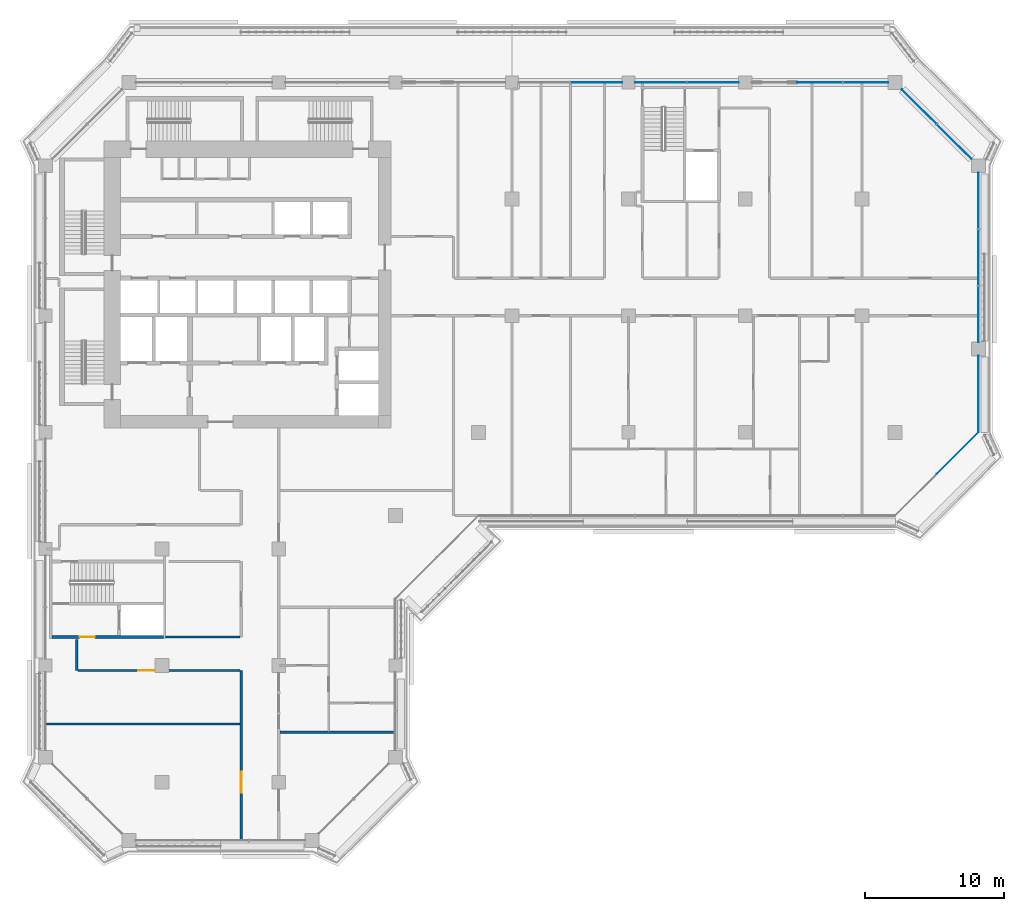
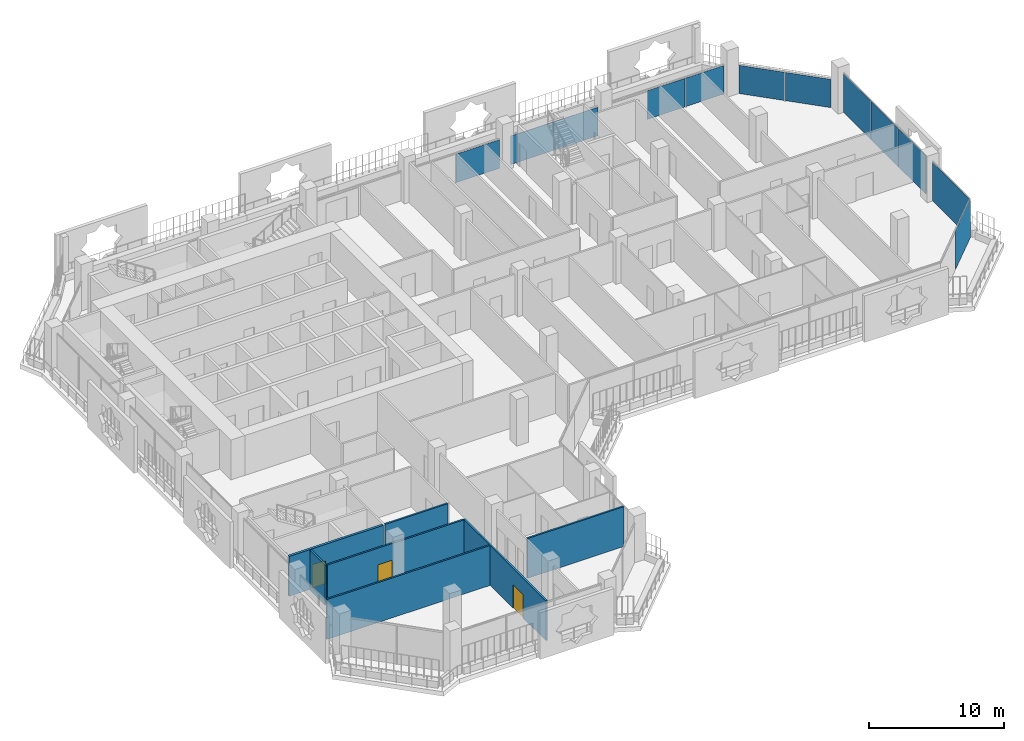
# One storey, part 9 of 22: 12 plates, 7 walls, 3 doors, 3 openings, 4 elements without a shape of their own.
"""IFC4 building model written with IfcOpenShell, lengths in metres."""

from ifc_helpers import new_model, si_unit, direction, frame, frame_2d, origin, origin_2d, place, context, subcontext, project, spatial, rectangle, extrude, material, layer, layer_set, type_object, element, fill, aggregate, save


model = new_model("IFC4")

# Units and contexts
model_context = context("Model", 3, precision=1e-05, world=origin(), true_north=direction((0.0, 1.0)))
body_context = subcontext(model_context, "Body", "Model", "MODEL_VIEW")
ifc_project = project(units=[si_unit("LENGTHUNIT", "METRE"), si_unit("AREAUNIT", "SQUARE_METRE"), si_unit("VOLUMEUNIT", "CUBIC_METRE"), si_unit("PLANEANGLEUNIT", "RADIAN"), si_unit("MASSUNIT", "GRAM", prefix="KILO")], contexts=[model_context])

# Site, building, storey
site_placement = place(None, origin())
site = spatial("IfcSite", under=ifc_project, at=site_placement, CompositionType="ELEMENT")
building_placement = place(site_placement, origin())
building = spatial("IfcBuilding", under=site, at=building_placement, Name="Kawkab Arch Medical Tower", CompositionType="ELEMENT")
storey_placement = place(building_placement, frame((0.0, 0.0, 183.60009765625)))
storey = spatial("IfcBuildingStorey", under=building, at=storey_placement, Name="L42", CompositionType="ELEMENT", Elevation=183.60009765625)

# Curtain wall, plates
ifc_material_1 = material(Name="Bronze anodised aluminium curtain wall frame", Category="aluminium")
ifc_layer_1 = layer(ifc_material_1, 0.159912109375)
ifc_layer_set_1 = layer_set([ifc_layer_1], Name="Bronze anodised aluminium curtain wall frame")
curtain_wall_type_1 = type_object("IfcCurtainWallType", Name="CW1 ward curtain wall", PredefinedType="NOTDEFINED", material=ifc_layer_set_1)
placement = place(storey_placement, origin())
curtain_wall_1 = element("IfcCurtainWall", 1, at=placement, inside=storey, type_object=curtain_wall_type_1, Name="CW1 Ward curtain wall R09", PredefinedType="NOTDEFINED")
ifc_material_2 = material(Name="Tinted insulating glass, bronze low-e coating", Category="glass")
ifc_layer_2 = layer(ifc_material_2, 0.031982421875)
ifc_layer_set_2 = layer_set([ifc_layer_2], Name="Tinted insulating glass, bronze low-e coating")
plate_type_1 = type_object("IfcPlateType", Name="CW1 glazing unit 32", PredefinedType="CURTAIN_PANEL", material=ifc_layer_set_2)
plate_1_placement = place(storey_placement, frame((67.199951171875, -22.449951171875, 0.0), z_axis=(0.0, 0.0, 1.0), x_axis=(0.0, 1.0, 0.0)))
plate_1 = element("IfcPlate", 2, at=plate_1_placement, type_object=plate_type_1, Name="CW1 glazing unit 1.1", PredefinedType="CURTAIN_PANEL", context=body_context, shape_type="SweptSolid", body=[
    extrude(rectangle(XDim=5.5, YDim=0.031982421875, at=origin_2d()), origin(), (0.0, 0.0, 1.0), 3.47998046875),
])
plate_2_placement = place(storey_placement, frame((67.199951171875, -16.681640625, 0.0), z_axis=(0.0, 0.0, 1.0), x_axis=(0.0, 1.0, 0.0)))
plate_2 = element("IfcPlate", 3, at=plate_2_placement, type_object=plate_type_1, Name="CW1 glazing unit 2.1", PredefinedType="CURTAIN_PANEL", context=body_context, shape_type="SweptSolid", body=[
    extrude(rectangle(XDim=4.03662109375, YDim=0.031982421875, at=origin_2d()), origin(), (0.0, 0.0, 1.0), 3.47998046875),
])
plate_3_placement = place(storey_placement, frame((67.199951171875, -12.60009765625, 0.0), z_axis=(0.0, 0.0, 1.0), x_axis=(0.0, 1.0, 0.0)))
plate_3 = element("IfcPlate", 4, at=plate_3_placement, type_object=plate_type_1, Name="CW1 glazing unit 2.2", PredefinedType="CURTAIN_PANEL", context=body_context, shape_type="SweptSolid", body=[
    extrude(rectangle(XDim=4.006591796875, YDim=0.031982421875, at=origin_2d()), origin(), (0.0, 0.0, 1.0), 3.47998046875),
])
plate_4_placement = place(storey_placement, frame((67.199951171875, -8.518310546875, 0.0), z_axis=(0.0, 0.0, 1.0), x_axis=(0.0, 1.0, 0.0)))
plate_4 = element("IfcPlate", 5, at=plate_4_placement, type_object=plate_type_1, Name="CW1 glazing unit 2.3", PredefinedType="CURTAIN_PANEL", context=body_context, shape_type="SweptSolid", body=[
    extrude(rectangle(XDim=4.03662109375, YDim=0.031982421875, at=origin_2d()), origin(), (0.0, 0.0, 1.0), 3.47998046875),
])
aggregate(curtain_wall_1, [plate_1, plate_2, plate_3, plate_4])

curtain_wall_2 = element("IfcCurtainWall", 6, at=placement, inside=storey, type_object=curtain_wall_type_1, Name="CW1 Ward curtain wall R11", PredefinedType="NOTDEFINED")
plate_5_placement = place(storey_placement, frame((59.077392578125, 0.0, -0.000244140625), z_axis=(0.0, 0.0, 1.0), x_axis=(-1.0, 0.0, 0.0)))
plate_5 = element("IfcPlate", 7, at=plate_5_placement, type_object=plate_type_1, Name="CW1 glazing unit 1.1", PredefinedType="CURTAIN_PANEL", context=body_context, shape_type="SweptSolid", body=[
    extrude(rectangle(XDim=3.2451171875, YDim=0.031982421875, at=origin_2d()), origin(), (0.0, 0.0, 1.0), 2.580078125),
])
plate_6_placement = place(storey_placement, frame((55.7724609375, 0.0, -0.000244140625), z_axis=(0.0, 0.0, 1.0), x_axis=(-1.0, 0.0, 0.0)))
plate_6 = element("IfcPlate", 8, at=plate_6_placement, type_object=plate_type_1, Name="CW1 glazing unit 1.2", PredefinedType="CURTAIN_PANEL", context=body_context, shape_type="SweptSolid", body=[
    extrude(rectangle(XDim=3.2451171875, YDim=0.031982421875, at=origin_2d()), origin(), (0.0, 0.0, 1.0), 2.580078125),
])
plate_7_placement = place(storey_placement, frame((48.077392578125, 0.0, -0.000244140625), z_axis=(0.0, 0.0, 1.0), x_axis=(-1.0, 0.0, 0.0)))
plate_7 = element("IfcPlate", 9, at=plate_7_placement, type_object=plate_type_1, Name="CW1 glazing unit 2.1", PredefinedType="CURTAIN_PANEL", context=body_context, shape_type="SweptSolid", body=[
    extrude(rectangle(XDim=3.695068359375, YDim=0.031982421875, at=origin_2d()), origin(), (0.0, 0.0, 1.0), 2.580078125),
])
plate_8_placement = place(storey_placement, frame((44.322509765625, 0.0, -0.000244140625), z_axis=(0.0, 0.0, 1.0), x_axis=(-1.0, 0.0, 0.0)))
plate_8 = element("IfcPlate", 10, at=plate_8_placement, type_object=plate_type_1, Name="CW1 glazing unit 2.2", PredefinedType="CURTAIN_PANEL", context=body_context, shape_type="SweptSolid", body=[
    extrude(rectangle(XDim=3.695068359375, YDim=0.031982421875, at=origin_2d()), origin(), (0.0, 0.0, 1.0), 2.580078125),
])
plate_9_placement = place(storey_placement, frame((39.677490234375, 0.0, -0.000244140625), z_axis=(0.0, 0.0, 1.0), x_axis=(-1.0, 0.0, 0.0)))
plate_9 = element("IfcPlate", 11, at=plate_9_placement, type_object=plate_type_1, Name="CW1 glazing unit 3.1", PredefinedType="CURTAIN_PANEL", context=body_context, shape_type="SweptSolid", body=[
    extrude(rectangle(XDim=3.695068359375, YDim=0.031982421875, at=origin_2d()), origin(), (0.0, 0.0, 1.0), 2.580078125),
])
aggregate(curtain_wall_2, [plate_5, plate_6, plate_7, plate_8, plate_9])

# Curtain wall, plate
ifc_material_3 = material(Name="Bronze anodised aluminium curtain wall frame", Category="aluminium")
ifc_layer_3 = layer(ifc_material_3, 0.159912109375)
ifc_layer_set_3 = layer_set([ifc_layer_3], Name="Bronze anodised aluminium curtain wall frame")
curtain_wall_type_2 = type_object("IfcCurtainWallType", Name="CW2 chamfer curtain wall", PredefinedType="NOTDEFINED", material=ifc_layer_set_3)
curtain_wall_3 = element("IfcCurtainWall", 12, at=placement, inside=storey, type_object=curtain_wall_type_2, Name="CW2 Chamfer curtain wall R08", PredefinedType="NOTDEFINED")
ifc_material_4 = material(Name="Tinted insulating glass, bronze low-e coating", Category="glass")
ifc_layer_4 = layer(ifc_material_4, 0.031982421875)
ifc_layer_set_4 = layer_set([ifc_layer_4], Name="Tinted insulating glass, bronze low-e coating")
plate_type_2 = type_object("IfcPlateType", Name="CW2 glazing unit 32", PredefinedType="CURTAIN_PANEL", material=ifc_layer_set_4)
plate_10_placement = place(storey_placement, frame((65.699951171875, -26.699951171875, 0.0), z_axis=(0.0, 0.0, 1.0), x_axis=(0.707106781187, 0.707106781187, 0.0)))
plate_10 = element("IfcPlate", 13, at=plate_10_placement, type_object=plate_type_2, Name="CW2 glazing unit 2.1", PredefinedType="CURTAIN_PANEL", context=body_context, shape_type="SweptSolid", body=[
    extrude(rectangle(XDim=4.24267578125, YDim=0.031982421875, at=origin_2d()), origin(), (0.0, 0.0, 1.0), 3.4599609375),
])
aggregate(curtain_wall_3, [plate_10])

# Curtain wall, plates
curtain_wall_4 = element("IfcCurtainWall", 14, at=placement, inside=storey, type_object=curtain_wall_type_2, Name="CW2 Chamfer curtain wall R10", PredefinedType="NOTDEFINED")
plate_11_placement = place(storey_placement, frame((65.460693359375, -4.260498046875, -0.000244140625), z_axis=(0.0, 0.0, 1.0), x_axis=(-0.707106781187, 0.707106781187, 0.0)))
plate_11 = element("IfcPlate", 15, at=plate_11_placement, type_object=plate_type_2, Name="CW2 glazing unit 1.1", PredefinedType="CURTAIN_PANEL", context=body_context, shape_type="SweptSolid", body=[
    extrude(rectangle(XDim=3.505615234375, YDim=0.031982421875, at=origin_2d()), origin(), (0.0, 0.0, 1.0), 2.56005859375),
])
plate_12_placement = place(storey_placement, frame((62.939453125, -1.739501953125, -0.000244140625), z_axis=(0.0, 0.0, 1.0), x_axis=(-0.707106781187, 0.707106781187, 0.0)))
plate_12 = element("IfcPlate", 16, at=plate_12_placement, type_object=plate_type_2, Name="CW2 glazing unit 1.2", PredefinedType="CURTAIN_PANEL", context=body_context, shape_type="SweptSolid", body=[
    extrude(rectangle(XDim=3.505615234375, YDim=0.031982421875, at=origin_2d()), origin(), (0.0, 0.0, 1.0), 2.56005859375),
])
aggregate(curtain_wall_4, [plate_11, plate_12])

# Walls
ifc_material_5 = material(Name="Gypsum board partition on steel studs, mineral wool", Category="steel")
ifc_layer_5 = layer(ifc_material_5, 0.14990234375)
ifc_layer_set_5 = layer_set([ifc_layer_5], Name="Gypsum board partition on steel studs, mineral wool")
wall_type_1 = type_object("IfcWallType", Name="Partition 150", PredefinedType="PARTITIONING", material=ifc_layer_set_5)
wall_1_placement = place(storey_placement, frame((16.875, -46.800048828125, 0.0), z_axis=(0.0, 0.0, 1.0), x_axis=(1.0, 0.0, 0.0)))
element("IfcWall", 17, at=wall_1_placement, inside=storey, type_object=wall_type_1, Name="Partition 150 w011", PredefinedType="PARTITIONING", context=body_context, shape_type="SweptSolid", body=[
    extrude(rectangle(XDim=8.2451171875, YDim=0.14990234375, at=frame_2d((4.12255859375, 0.0))), origin(), (0.0, 0.0, 1.0), 3.599853515625),
])
wall_2_placement = place(storey_placement, frame((0.080078125, -46.199951171875, 0.0), z_axis=(0.0, 0.0, 1.0), x_axis=(1.0, 0.0, 0.0)))
element("IfcWall", 18, at=wall_2_placement, inside=storey, type_object=wall_type_1, Name="Partition 150 w012", PredefinedType="PARTITIONING", context=body_context, shape_type="SweptSolid", body=[
    extrude(rectangle(XDim=13.94482421875, YDim=0.14990234375, at=frame_2d((6.972412109375, 0.0))), origin(), (0.0, 0.0, 1.0), 3.599853515625),
])

# Wall, opening, door
wall_3_placement = place(storey_placement, frame((2.325927734375, -42.35009765625, 0.0), z_axis=(0.0, 0.0, 1.0), x_axis=(1.0, 0.0, 0.0)))
wall_3 = element("IfcWall", 19, at=wall_3_placement, inside=storey, type_object=wall_type_1, Name="Partition 150 w013", PredefinedType="PARTITIONING", context=body_context, shape_type="SweptSolid", body=[
    extrude(rectangle(XDim=11.698974609375, YDim=0.14990234375, at=frame_2d((5.849609375, 0.0))), origin(), (0.0, 0.0, 1.0), 3.599853515625),
])
opening_1_placement = place(wall_3_placement, frame((4.34912109375, 0.0, 0.0)))
opening_1 = element("IfcOpeningElement", 20, at=opening_1_placement, cuts=wall_3, Name="Opening W42-035", PredefinedType="OPENING", context=body_context, shape_type="SweptSolid", body=[
    extrude(rectangle(XDim=1.199951171875, YDim=2.10009765625, at=frame_2d((0.60009765625, 1.050048828125))), frame((0.0, 0.0849609375, 0.0), z_axis=(0.0, -1.0, 0.0), x_axis=(1.0, 0.0, 0.0)), (0.0, 0.0, 1.0), 0.169921875),
])
ifc_material_6 = material(Name="Hollow metal door leaf")
door_type_1 = type_object("IfcDoorType", Name="Single door 1200x2100 FD30S", OperationType="NOTDEFINED", PredefinedType="DOOR", material=ifc_material_6)
door_1_placement = place(opening_1_placement, origin())
door_1 = element("IfcDoor", 21, at=door_1_placement, inside=storey, type_object=door_type_1, Name="Door W42-035", OperationType="SINGLE_SWING_RIGHT", OverallHeight=2.10009765625, OverallWidth=1.199951171875, PredefinedType="DOOR", context=body_context, shape_type="SweptSolid", body=[
    extrude(rectangle(XDim=1.199951171875, YDim=2.10009765625, at=frame_2d((0.60009765625, 1.050048828125))), frame((0.0, 0.02490234375, 0.0), z_axis=(0.0, -1.0, 0.0), x_axis=(1.0, 0.0, 0.0)), (0.0, 0.0, 1.0), 0.050048828125),
])
fill(opening_1, door_1)

# Walls
wall_4_placement = place(storey_placement, frame((8.64990234375, -39.949951171875, 0.0), z_axis=(0.0, 0.0, 1.0), x_axis=(1.0, 0.0, 0.0)))
element("IfcWall", 22, at=wall_4_placement, inside=storey, type_object=wall_type_1, Name="Partition 150 w014", PredefinedType="PARTITIONING", context=body_context, shape_type="SweptSolid", body=[
    extrude(rectangle(XDim=5.375, YDim=0.14990234375, at=frame_2d((2.6875, 0.0))), origin(), (0.0, 0.0, 1.0), 3.599853515625),
])
wall_5_placement = place(storey_placement, frame((2.25, -42.347900390625, 0.0), z_axis=(0.0, 0.0, 1.0), x_axis=(0.0, 1.0, 0.0)))
element("IfcWall", 23, at=wall_5_placement, inside=storey, type_object=wall_type_1, Name="Partition 150 w034", PredefinedType="PARTITIONING", context=body_context, shape_type="SweptSolid", body=[
    extrude(rectangle(XDim=2.218017578125, YDim=0.14990234375, at=frame_2d((1.10888671875, 0.0))), origin(), (0.0, 0.0, 1.0), 3.599853515625),
])

# Wall, opening, door
wall_6_placement = place(storey_placement, frame((14.10009765625, -54.52001953125, 0.0), z_axis=(0.0, 0.0, 1.0), x_axis=(0.0, 1.0, 0.0)))
wall_6 = element("IfcWall", 24, at=wall_6_placement, inside=storey, type_object=wall_type_1, Name="Partition 150 w036", PredefinedType="PARTITIONING", context=body_context, shape_type="SweptSolid", body=[
    extrude(rectangle(XDim=12.169921875, YDim=0.14990234375, at=frame_2d((6.0849609375, 0.0))), origin(), (0.0, 0.0, 1.0), 3.599853515625),
])
opening_2_placement = place(wall_6_placement, frame((3.3701171875, 0.0, 0.0)))
opening_2 = element("IfcOpeningElement", 25, at=opening_2_placement, cuts=wall_6, Name="Opening W42-004", PredefinedType="OPENING", context=body_context, shape_type="SweptSolid", body=[
    extrude(rectangle(XDim=1.5, YDim=2.10009765625, at=frame_2d((0.75, 1.050048828125))), frame((0.0, 0.0849609375, 0.0), z_axis=(0.0, -1.0, 0.0), x_axis=(1.0, 0.0, 0.0)), (0.0, 0.0, 1.0), 0.169921875),
])
ifc_material_7 = material(Name="Hollow metal door leaf")
door_type_2 = type_object("IfcDoorType", Name="Double door 1500x2100 FD30S", OperationType="NOTDEFINED", PredefinedType="DOOR", material=ifc_material_7)
door_2_placement = place(opening_2_placement, origin())
door_2 = element("IfcDoor", 26, at=door_2_placement, inside=storey, type_object=door_type_2, Name="Door W42-004", OperationType="DOUBLE_DOOR_SINGLE_SWING", OverallHeight=2.10009765625, OverallWidth=1.5, PredefinedType="DOOR", context=body_context, shape_type="SweptSolid", body=[
    extrude(rectangle(XDim=1.5, YDim=2.10009765625, at=frame_2d((0.75, 1.050048828125))), frame((0.0, 0.02490234375, 0.0), z_axis=(0.0, -1.0, 0.0), x_axis=(1.0, 0.0, 0.0)), (0.0, 0.0, 1.0), 0.050048828125),
])
fill(opening_2, door_2)

ifc_material_8 = material(Name="Concrete C50/60", Category="concrete")
ifc_layer_6 = layer(ifc_material_8, 0.199951171875)
ifc_layer_set_6 = layer_set([ifc_layer_6], Name="Concrete C50/60")
wall_type_2 = type_object("IfcWallType", Name="Stair enclosure wall 200 C50/60", PredefinedType="SHEAR", material=ifc_layer_set_6)
wall_7_placement = place(storey_placement, frame((0.449951171875, -39.949951171875, 0.0), z_axis=(0.0, 0.0, 1.0), x_axis=(1.0, 0.0, 0.0)))
wall_7 = element("IfcWall", 27, at=wall_7_placement, inside=storey, type_object=wall_type_2, Name="L42 stair enclosure wall", PredefinedType="SHEAR", context=body_context, shape_type="SweptSolid", body=[
    extrude(rectangle(XDim=8.050048828125, YDim=0.199951171875, at=frame_2d((4.02490234375, 0.0))), origin(), (0.0, 0.0, 1.0), 3.599853515625),
])
opening_3_placement = place(wall_7_placement, frame((2.0, 0.0, 0.0)))
opening_3 = element("IfcOpeningElement", 28, at=opening_3_placement, cuts=wall_7, Name="Opening FD", PredefinedType="OPENING", context=body_context, shape_type="SweptSolid", body=[
    extrude(rectangle(XDim=1.10009765625, YDim=2.10009765625, at=frame_2d((0.550048828125, 1.050048828125))), frame((0.0, 0.10986328125, 0.0), z_axis=(0.0, -1.0, 0.0), x_axis=(1.0, 0.0, 0.0)), (0.0, 0.0, 1.0), 0.219970703125),
])
ifc_material_9 = material(Name="Hollow metal fire door leaf")
door_type_3 = type_object("IfcDoorType", Name="Firefighting lobby door 1100", OperationType="SINGLE_SWING_LEFT", PredefinedType="DOOR", material=ifc_material_9)
door_3_placement = place(opening_3_placement, origin())
door_3 = element("IfcDoor", 29, at=door_3_placement, inside=storey, type_object=door_type_3, Name="L42 Service lift lobby door SV2", OperationType="SINGLE_SWING_LEFT", OverallHeight=2.10009765625, OverallWidth=1.10009765625, PredefinedType="DOOR", context=body_context, shape_type="SweptSolid", body=[
    extrude(rectangle(XDim=1.10009765625, YDim=2.10009765625, at=frame_2d((0.550048828125, 1.050048828125))), frame((0.0, 0.02490234375, 0.0), z_axis=(0.0, -1.0, 0.0), x_axis=(1.0, 0.0, 0.0)), (0.0, 0.0, 1.0), 0.050048828125),
])
fill(opening_3, door_3)

save(model, "model.ifc")
